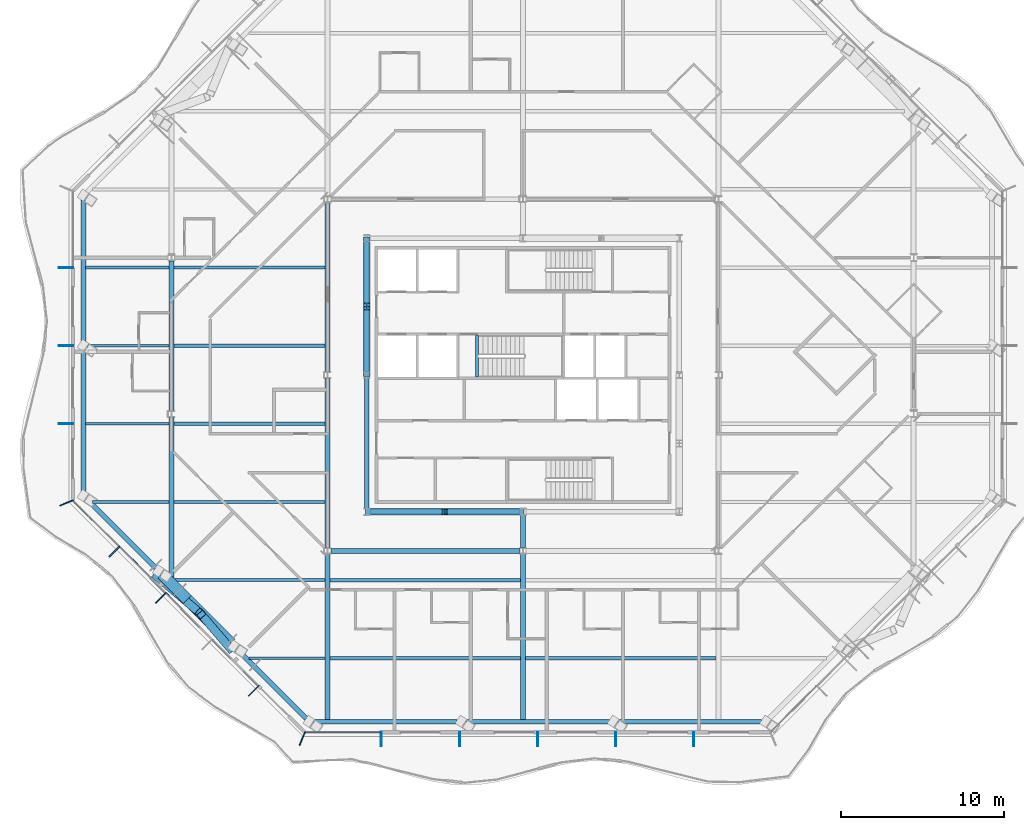
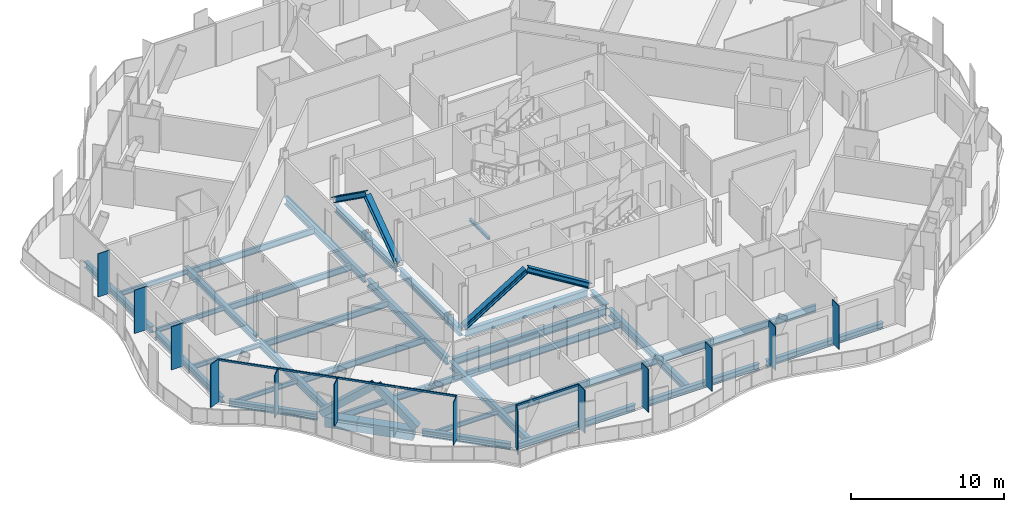
# One storey, part 3 of 21: 34 beams, 24 members, 3 elements without a shape of their own.
"""IFC4 building model written with IfcOpenShell, lengths in metres."""

import ifcopenshell
import ifcopenshell.guid

model = None  # the IFC model being written
_history = None  # IfcOwnerHistory: only IFC2X3 demands one
_inside = {}  # id of a spatial element -> (the spatial element, [elements in it])
_under = {}  # id of a project, library or spatial element -> (it, [spatial elements below it])
_declared = {}  # id of a project -> (the project, [libraries it declares])
_typed = {}  # id of a type object -> (the type object, [elements of that type])
_made_of = {}  # id of a material, layer set ... -> (it, [elements and type objects made of it])


def new_model(schema):
    """Start an empty IFC model of exactly this schema.

    Asked for "IFC4X3", IfcOpenShell would pick the latest addendum, in which some entities
    have other attributes; the version numbers below select the first issue.
    IFC2X3 requires an IfcOwnerHistory on every rooted entity: one is made here for all.
    """
    global model, _history
    if schema == "IFC4X3":
        model = ifcopenshell.file(schema_version=(4, 3, 0, 0))
    else:
        model = ifcopenshell.file(schema=schema)
    _inside.clear()
    _under.clear()
    _declared.clear()
    _typed.clear()
    _made_of.clear()
    _history = None
    if model.schema == "IFC2X3":
        org = make("IfcOrganization", Name="unknown")
        user = make(
            "IfcPersonAndOrganization",
            ThePerson=make("IfcPerson", FamilyName="unknown"),
            TheOrganization=org,
        )
        app = make(
            "IfcApplication",
            ApplicationDeveloper=org,
            Version="unknown",
            ApplicationFullName="unknown",
            ApplicationIdentifier="unknown",
        )
        _history = make(
            "IfcOwnerHistory",
            OwningUser=user,
            OwningApplication=app,
            ChangeAction="ADDED",
            CreationDate=0,
        )
    return model


def make(cls, **values):
    """One entity of the class cls with the attributes given. An attribute that is None is left unset."""
    return model.create_entity(
        cls, **{name: value for name, value in values.items() if value is not None}
    )


def rooted(cls, **values):
    """An entity with a GlobalId (a new one), such as an element, a storey or a relation."""
    return make(cls, GlobalId=ifcopenshell.guid.new(), OwnerHistory=_history, **values)


def si_unit(unit_type, name, prefix=None):
    """IfcSIUnit, for example si_unit("LENGTHUNIT", "METRE", prefix="MILLI")."""
    return make("IfcSIUnit", UnitType=unit_type, Prefix=prefix, Name=name)


def assignment(units):
    """IfcUnitAssignment: the units of a project."""
    return None if units is None else make("IfcUnitAssignment", Units=units)


def point(xyz):
    """IfcCartesianPoint."""
    return None if xyz is None else make("IfcCartesianPoint", Coordinates=xyz)


def direction(xyz):
    """IfcDirection."""
    return None if xyz is None else make("IfcDirection", DirectionRatios=xyz)


def frame(location, z_axis=None, x_axis=None):
    """IfcAxis2Placement3D, a coordinate frame: its origin and axes. An axis left out is left unset."""
    return make(
        "IfcAxis2Placement3D",
        Location=point(location),
        Axis=direction(z_axis),
        RefDirection=direction(x_axis),
    )


def frame_2d(location, x_axis=None):
    """IfcAxis2Placement2D, a coordinate frame in the plane: its origin and x axis."""
    return make(
        "IfcAxis2Placement2D", Location=point(location), RefDirection=direction(x_axis)
    )


def origin():
    """The frame at (0, 0, 0) with its axes left unset."""
    return frame((0.0, 0.0, 0.0))


def origin_2d():
    """The frame at (0, 0) in the plane with its x axis left unset."""
    return frame_2d((0.0, 0.0))


def place(relative_to, where):
    """IfcLocalPlacement: puts the frame where relative to a parent placement (None: the world)."""
    return make(
        "IfcLocalPlacement", PlacementRelTo=relative_to, RelativePlacement=where
    )


def context(
    kind, dimensions, precision=None, world=None, true_north=None, identifier=None
):
    """IfcGeometricRepresentationContext, for example the 3D "Model" context."""
    return make(
        "IfcGeometricRepresentationContext",
        ContextIdentifier=identifier,
        ContextType=kind,
        CoordinateSpaceDimension=dimensions,
        Precision=precision,
        WorldCoordinateSystem=world,
        TrueNorth=true_north,
    )


def subcontext(parent, identifier, kind, view, scale=None):
    """IfcGeometricRepresentationSubContext, for example "Body" below "Model"."""
    return make(
        "IfcGeometricRepresentationSubContext",
        ContextIdentifier=identifier,
        ContextType=kind,
        ParentContext=parent,
        TargetScale=scale,
        TargetView=view,
    )


def project(units=None, contexts=None):
    """IfcProject with its units and contexts."""
    return rooted(
        "IfcProject",
        Name="project",
        RepresentationContexts=contexts,
        UnitsInContext=assignment(units),
    )


def spatial(cls, under=None, at=None, **own):
    """A site, building, storey or space (cls), placed at a placement, below another one or the project."""
    s = rooted(cls, ObjectPlacement=at, **own)
    if under is not None:
        _under.setdefault(under.id(), (under, []))[1].append(s)
    return s


def profile(cls, at=None, kind="AREA", **sizes):
    """A parametric profile (cls). Its sizes go by their IFC names, for example OverallWidth=200.0."""
    return make(cls, ProfileType=kind, Position=at, **sizes)


def rectangle(**sizes):
    """IfcRectangleProfileDef."""
    return profile("IfcRectangleProfileDef", **sizes)


def hollow_rectangle(**sizes):
    """IfcRectangleHollowProfileDef."""
    return profile("IfcRectangleHollowProfileDef", **sizes)


def i_section(**sizes):
    """IfcIShapeProfileDef."""
    return profile("IfcIShapeProfileDef", **sizes)


def extrude(swept, where, along, depth):
    """IfcExtrudedAreaSolid: the profile swept, set in the frame where, extruded along a direction by depth."""
    return make(
        "IfcExtrudedAreaSolid",
        SweptArea=swept,
        Position=where,
        ExtrudedDirection=direction(along),
        Depth=depth,
    )


def shape(context_of_items, identifier, shape_type, items):
    """IfcShapeRepresentation: the items that make up one representation, for example the "Body"."""
    return make(
        "IfcShapeRepresentation",
        ContextOfItems=context_of_items,
        RepresentationIdentifier=identifier,
        RepresentationType=shape_type,
        Items=items,
    )


def material(Name=None, Category=None):
    """IfcMaterial."""
    return make("IfcMaterial", Name=Name, Category=Category)


def material_profile(
    of_material, cross_section, Name=None, Category=None, Priority=None
):
    """IfcMaterialProfile: a cross section and its material."""
    return make(
        "IfcMaterialProfile",
        Name=Name,
        Material=of_material,
        Profile=cross_section,
        Priority=Priority,
        Category=Category,
    )


def profile_set(profiles, Name=None, composite=None):
    """IfcMaterialProfileSet."""
    return make(
        "IfcMaterialProfileSet",
        Name=Name,
        MaterialProfiles=profiles,
        CompositeProfile=composite,
    )


def made_of(thing, what):
    """Note that an element or type object is made of a material, layer set ...; save() writes the relation."""
    if what is not None:
        _made_of.setdefault(what.id(), (what, []))[1].append(thing)
    return thing


def type_object(cls, material=None, **own):
    """A type object (cls), such as IfcWallType, which elements share."""
    return made_of(rooted(cls, **own), material)


def element(
    cls,
    number,
    at=None,
    inside=None,
    cuts=None,
    type_object=None,
    material=None,
    context=None,
    identifier="Body",
    shape_type=None,
    held_by="IfcProductDefinitionShape",
    body=None,
    shapes=None,
    **own,
):
    """One element of the class cls, such as IfcWall. Its Tag is "e" and its number.

    at: its placement. inside: the storey or other place that contains it. cuts: it is an
    opening in that element (IfcRelVoidsElement). A single representation is given by context,
    identifier, shape_type and body (its items); several are given by shapes. held_by: the class
    of the entity that holds the representations. save() writes the other relations.
    """
    e = rooted(cls, Tag="e%d" % number, ObjectPlacement=at, **own)
    if body is not None:
        shapes = [shape(context, identifier, shape_type, body)]
    if shapes is not None:
        e.Representation = make(held_by, Representations=shapes)
    if inside is not None:
        _inside.setdefault(inside.id(), (inside, []))[1].append(e)
    if cuts is not None:
        rooted(
            "IfcRelVoidsElement", RelatingBuildingElement=cuts, RelatedOpeningElement=e
        )
    if type_object is not None:
        _typed.setdefault(type_object.id(), (type_object, []))[1].append(e)
    return made_of(e, material)


def aggregate(whole, parts):
    """IfcRelAggregates: a whole, such as a stair, and the parts it consists of."""
    return rooted("IfcRelAggregates", RelatingObject=whole, RelatedObjects=parts)


def save(model, path):
    """Write the relations noted so far, then the file.

    IfcRelAggregates (storeys below a building ...), IfcRelContainedInSpatialStructure (elements
    in a storey), IfcRelDefinesByType, IfcRelAssociatesMaterial and IfcRelDeclares: one each for
    every whole, place, type object, material and project.
    """
    for whole, parts in _under.values():
        aggregate(whole, parts)
    for where, things in _inside.values():
        rooted(
            "IfcRelContainedInSpatialStructure",
            RelatedElements=things,
            RelatingStructure=where,
        )
    for kind, things in _typed.values():
        rooted("IfcRelDefinesByType", RelatedObjects=things, RelatingType=kind)
    for what, things in _made_of.values():
        rooted("IfcRelAssociatesMaterial", RelatedObjects=things, RelatingMaterial=what)
    for by, libraries in _declared.values():
        rooted("IfcRelDeclares", RelatingContext=by, RelatedDefinitions=libraries)
    model.write(path)


model = new_model("IFC4")

# Units and contexts
model_context = context("Model", 3, precision=1e-05, world=origin(), true_north=direction((0.0, 1.0)))
body_context = subcontext(model_context, "Body", "Model", "MODEL_VIEW")
ifc_project = project(units=[si_unit("LENGTHUNIT", "METRE"), si_unit("AREAUNIT", "SQUARE_METRE"), si_unit("VOLUMEUNIT", "CUBIC_METRE"), si_unit("PLANEANGLEUNIT", "RADIAN"), si_unit("MASSUNIT", "GRAM", prefix="KILO")], contexts=[model_context])

# Site, building, storey
site_placement = place(None, origin())
site = spatial("IfcSite", under=ifc_project, at=site_placement, CompositionType="ELEMENT")
building_placement = place(site_placement, origin())
building = spatial("IfcBuilding", under=site, at=building_placement, Name="Cairn Pilgrim Tower", CompositionType="ELEMENT")
storey_placement = place(building_placement, frame((0.0, 0.0, 179.39990234375)))
storey = spatial("IfcBuildingStorey", under=building, at=storey_placement, Name="L45", CompositionType="ELEMENT", Elevation=179.39990234375)

# Members
ifc_material_1 = material(Name="Structural steel S460M", Category="steel")
ifc_material_profile_1 = material_profile(ifc_material_1, hollow_rectangle(XDim=0.5, YDim=0.5, WallThickness=0.030029296875, at=origin_2d()), Name="BOX 500x500x30")
ifc_profile_set_1 = profile_set([ifc_material_profile_1], Name="Structural steel S460M")
member_type_1 = type_object("IfcMemberType", Name="BOX 500x500x30 BRACE", PredefinedType="BRACE", material=ifc_profile_set_1)
member_1_placement = place(storey_placement, frame((-15.35595703125, -9.91650390625, 0.150146484375), z_axis=(0.605161521402, -0.514059548289, 0.607883470599), x_axis=(0.647408757697, 0.762142965891, 0.0)))
element("IfcMember", 1, at=member_1_placement, inside=storey, type_object=member_type_1, Name="XB-SW2-SW3-1", PredefinedType="BRACE", context=body_context, shape_type="SweptSolid", body=[
    extrude(hollow_rectangle(XDim=0.5, YDim=0.5, WallThickness=0.030029296875, at=origin_2d()), origin(), (0.0, 0.0, 1.0), 4.39501953125),
])
member_2_placement = place(storey_placement, frame((-10.75244140625, -14.430419921875, 0.135498046875), z_axis=(-0.466391954659, 0.546893695647, 0.695259541676), x_axis=(-0.760886292227, -0.648885236618, 0.0)))
element("IfcMember", 2, at=member_2_placement, inside=storey, type_object=member_type_1, Name="XB-SW2-SW3-2", PredefinedType="BRACE", context=body_context, shape_type="SweptSolid", body=[
    extrude(hollow_rectangle(XDim=0.5, YDim=0.5, WallThickness=0.030029296875, at=origin_2d()), origin(), (0.0, 0.0, 1.0), 3.86376953125),
])

# Beams
ifc_material_2 = material(Name="Structural steel S355J2", Category="steel")
ifc_material_profile_2 = material_profile(ifc_material_2, hollow_rectangle(XDim=0.699951171875, YDim=0.800048828125, WallThickness=0.0400390625, at=origin_2d()), Name="BOX 700x800x40")
ifc_profile_set_2 = profile_set([ifc_material_profile_2], Name="Structural steel S355J2")
beam_type_1 = type_object("IfcBeamType", Name="BOX 700x800x40 RING GIRDER", PredefinedType="SPANDREL", material=ifc_profile_set_2)
beam_1_placement = place(storey_placement, frame((-14.98486328125, -9.84228515625, -0.5498046875), z_axis=(0.707106781187, -0.707106781187, 0.0), x_axis=(0.707106781187, 0.707106781187, 0.0)))
element("IfcBeam", 3, at=beam_1_placement, inside=storey, type_object=beam_type_1, Name="RG2-SW2-SW3-1", PredefinedType="SPANDREL", context=body_context, shape_type="SweptSolid", body=[
    extrude(hollow_rectangle(XDim=0.699951171875, YDim=0.800048828125, WallThickness=0.0400390625, at=origin_2d()), origin(), (0.0, 0.0, 1.0), 2.20458984375),
])
beam_2_placement = place(storey_placement, frame((-13.426025390625, -11.401123046875, -0.5498046875), z_axis=(0.707106781187, -0.707106781187, 0.0), x_axis=(0.707106781187, 0.707106781187, 0.0)))
element("IfcBeam", 4, at=beam_2_placement, inside=storey, type_object=beam_type_1, Name="RG2-SW2-SW3-2", PredefinedType="SPANDREL", context=body_context, shape_type="SweptSolid", body=[
    extrude(hollow_rectangle(XDim=0.699951171875, YDim=0.800048828125, WallThickness=0.0400390625, at=origin_2d()), origin(), (0.0, 0.0, 1.0), 3.795166015625),
])

# Curtain wall, members
ifc_material_3 = material(Name="Aluminium alloy 6063-T6 bronze anodised with Bronze tinted laminated low-E glass 8+16+8.8", Category="aluminium")
curtain_wall_type_1 = type_object("IfcCurtainWallType", Name="TOWER STICK CURTAIN WALL NS", PredefinedType="NOTDEFINED", material=ifc_material_3)
curtain_wall_1_placement = place(storey_placement, origin())
curtain_wall_1 = element("IfcCurtainWall", 5, at=curtain_wall_1_placement, inside=storey, type_object=curtain_wall_type_1, Name="Tower Stick Curtain Wall Ns S", PredefinedType="NOTDEFINED")
ifc_material_4 = material(Name="Aluminium alloy 6063-T6 bronze anodised", Category="aluminium")
ifc_material_profile_3 = material_profile(ifc_material_4, rectangle(XDim=0.89990234375, YDim=0.06005859375, at=origin_2d()), Name="FIN MULLION 60x900 BRONZE")
ifc_profile_set_3 = profile_set([ifc_material_profile_3], Name="Aluminium alloy 6063-T6 bronze anodised")
member_type_2 = type_object("IfcMemberType", Name="FIN MULLION 60x900 BRONZE", PredefinedType="MULLION", material=ifc_profile_set_3)
member_3_placement = place(storey_placement, frame((-6.357177734375, -19.93798828125, 0.0), z_axis=(0.0, 0.0, 1.0), x_axis=(-0.382683432365, -0.923879532511, 0.0)))
member_3 = element("IfcMember", 6, at=member_3_placement, type_object=member_type_2, Name="Fin mullion S1", PredefinedType="MULLION", context=body_context, shape_type="SweptSolid", body=[
    extrude(rectangle(XDim=0.89990234375, YDim=0.06005859375, at=origin_2d()), origin(), (0.0, 0.0, 1.0), 3.4501953125),
])
member_4_placement = place(storey_placement, frame((-1.5, -19.969970703125, 0.0), z_axis=(0.0, 0.0, 1.0), x_axis=(0.0, -1.0, 0.0)))
member_4 = element("IfcMember", 7, at=member_4_placement, type_object=member_type_2, Name="Fin mullion S2", PredefinedType="MULLION", context=body_context, shape_type="SweptSolid", body=[
    extrude(rectangle(XDim=0.89990234375, YDim=0.06005859375, at=origin_2d()), origin(), (0.0, 0.0, 1.0), 3.4501953125),
])
member_5_placement = place(storey_placement, frame((3.300048828125, -19.969970703125, 0.0), z_axis=(0.0, 0.0, 1.0), x_axis=(0.0, -1.0, 0.0)))
member_5 = element("IfcMember", 8, at=member_5_placement, type_object=member_type_2, Name="Fin mullion S3", PredefinedType="MULLION", context=body_context, shape_type="SweptSolid", body=[
    extrude(rectangle(XDim=0.89990234375, YDim=0.06005859375, at=origin_2d()), origin(), (0.0, 0.0, 1.0), 3.4501953125),
])
member_6_placement = place(storey_placement, frame((8.10009765625, -19.969970703125, 0.0), z_axis=(0.0, 0.0, 1.0), x_axis=(0.0, -1.0, 0.0)))
member_6 = element("IfcMember", 9, at=member_6_placement, type_object=member_type_2, Name="Fin mullion S4", PredefinedType="MULLION", context=body_context, shape_type="SweptSolid", body=[
    extrude(rectangle(XDim=0.89990234375, YDim=0.06005859375, at=origin_2d()), origin(), (0.0, 0.0, 1.0), 3.4501953125),
])
member_7_placement = place(storey_placement, frame((12.89990234375, -19.969970703125, 0.0), z_axis=(0.0, 0.0, 1.0), x_axis=(0.0, -1.0, 0.0)))
member_7 = element("IfcMember", 10, at=member_7_placement, type_object=member_type_2, Name="Fin mullion S5", PredefinedType="MULLION", context=body_context, shape_type="SweptSolid", body=[
    extrude(rectangle(XDim=0.89990234375, YDim=0.06005859375, at=origin_2d()), origin(), (0.0, 0.0, 1.0), 3.4501953125),
])
member_8_placement = place(storey_placement, frame((17.699951171875, -19.969970703125, 0.0), z_axis=(0.0, 0.0, 1.0), x_axis=(0.0, -1.0, 0.0)))
member_8 = element("IfcMember", 11, at=member_8_placement, type_object=member_type_2, Name="Fin mullion S6", PredefinedType="MULLION", context=body_context, shape_type="SweptSolid", body=[
    extrude(rectangle(XDim=0.89990234375, YDim=0.06005859375, at=origin_2d()), origin(), (0.0, 0.0, 1.0), 3.4501953125),
])

curtain_wall_type_2 = type_object("IfcCurtainWallType", Name="TOWER STICK CURTAIN WALL EW", PredefinedType="NOTDEFINED", material=ifc_material_3)
curtain_wall_2_placement = place(storey_placement, origin())
curtain_wall_2 = element("IfcCurtainWall", 12, at=curtain_wall_2_placement, inside=storey, type_object=curtain_wall_type_2, Name="Tower Stick Curtain Wall Ew W", PredefinedType="NOTDEFINED")
member_9_placement = place(storey_placement, frame((-20.8701171875, 9.0, 0.0), z_axis=(0.0, 0.0, 1.0), x_axis=(-1.0, 0.0, 0.0)))
member_9 = element("IfcMember", 13, at=member_9_placement, type_object=member_type_2, Name="Fin mullion W2", PredefinedType="MULLION", context=body_context, shape_type="SweptSolid", body=[
    extrude(rectangle(XDim=0.89990234375, YDim=0.06005859375, at=origin_2d()), origin(), (0.0, 0.0, 1.0), 3.4501953125),
])
member_10_placement = place(storey_placement, frame((-20.8701171875, 4.199951171875, 0.0), z_axis=(0.0, 0.0, 1.0), x_axis=(-1.0, 0.0, 0.0)))
member_10 = element("IfcMember", 14, at=member_10_placement, type_object=member_type_2, Name="Fin mullion W3", PredefinedType="MULLION", context=body_context, shape_type="SweptSolid", body=[
    extrude(rectangle(XDim=0.89990234375, YDim=0.06005859375, at=origin_2d()), origin(), (0.0, 0.0, 1.0), 3.4501953125),
])
member_11_placement = place(storey_placement, frame((-20.8701171875, -0.60009765625, 0.0), z_axis=(0.0, 0.0, 1.0), x_axis=(-1.0, 0.0, 0.0)))
member_11 = element("IfcMember", 15, at=member_11_placement, type_object=member_type_2, Name="Fin mullion W4", PredefinedType="MULLION", context=body_context, shape_type="SweptSolid", body=[
    extrude(rectangle(XDim=0.89990234375, YDim=0.06005859375, at=origin_2d()), origin(), (0.0, 0.0, 1.0), 3.4501953125),
])
aggregate(curtain_wall_2, [member_9, member_10, member_11])

curtain_wall_type_3 = type_object("IfcCurtainWallType", Name="CHAMFER CORNER CURTAIN WALL", PredefinedType="NOTDEFINED", material=ifc_material_3)
curtain_wall_3_placement = place(storey_placement, origin())
curtain_wall_3 = element("IfcCurtainWall", 16, at=curtain_wall_3_placement, inside=storey, type_object=curtain_wall_type_3, Name="Chamfer Corner Curtain Wall SW", PredefinedType="NOTDEFINED")
member_12_placement = place(storey_placement, frame((-20.838134765625, -5.457275390625, 0.0), z_axis=(0.0, 0.0, 1.0), x_axis=(-0.923879532511, -0.382683432365, 0.0)))
member_12 = element("IfcMember", 17, at=member_12_placement, type_object=member_type_2, Name="Fin mullion SW1", PredefinedType="MULLION", context=body_context, shape_type="SweptSolid", body=[
    extrude(rectangle(XDim=0.89990234375, YDim=0.06005859375, at=origin_2d()), origin(), (0.0, 0.0, 1.0), 3.4501953125),
])
member_13_placement = place(storey_placement, frame((-17.896240234375, -8.444091796875, 0.0), z_axis=(0.0, 0.0, 1.0), x_axis=(-0.707106781187, -0.707106781187, 0.0)))
member_13 = element("IfcMember", 18, at=member_13_placement, type_object=member_type_2, Name="Fin mullion SW2", PredefinedType="MULLION", context=body_context, shape_type="SweptSolid", body=[
    extrude(rectangle(XDim=0.89990234375, YDim=0.06005859375, at=origin_2d()), origin(), (0.0, 0.0, 1.0), 3.4501953125),
])
member_14_placement = place(storey_placement, frame((-15.045654296875, -11.294921875, 0.0), z_axis=(0.0, 0.0, 1.0), x_axis=(-0.707106781187, -0.707106781187, 0.0)))
member_14 = element("IfcMember", 19, at=member_14_placement, type_object=member_type_2, Name="Fin mullion SW3", PredefinedType="MULLION", context=body_context, shape_type="SweptSolid", body=[
    extrude(rectangle(XDim=0.89990234375, YDim=0.06005859375, at=origin_2d()), origin(), (0.0, 0.0, 1.0), 3.4501953125),
])
member_15_placement = place(storey_placement, frame((-9.34423828125, -16.996337890625, 0.0), z_axis=(0.0, 0.0, 1.0), x_axis=(-0.707106781187, -0.707106781187, 0.0)))
member_15 = element("IfcMember", 20, at=member_15_placement, type_object=member_type_2, Name="Fin mullion SW5", PredefinedType="MULLION", context=body_context, shape_type="SweptSolid", body=[
    extrude(rectangle(XDim=0.89990234375, YDim=0.06005859375, at=origin_2d()), origin(), (0.0, 0.0, 1.0), 3.4501953125),
])

# Members
ifc_material_profile_4 = material_profile(ifc_material_1, i_section(OverallWidth=0.408935546875, OverallDepth=0.425048828125, WebThickness=0.03271484375, FlangeThickness=0.052490234375, FilletRadius=0.014892578125, at=origin_2d()), Name="HD 400x421")
ifc_profile_set_4 = profile_set([ifc_material_profile_4], Name="Structural steel S460M")
member_type_3 = type_object("IfcMemberType", Name="HD 400x421 BRACE", PredefinedType="BRACE", material=ifc_profile_set_4)
member_16_placement = place(storey_placement, frame((-2.3583984375, -6.0, 0.10009765625), z_axis=(0.851119565216, 0.0, 0.524971890397), x_axis=(0.0, 1.0, 0.0)))
element("IfcMember", 21, at=member_16_placement, inside=storey, type_object=member_type_3, Name="KB-1A", PredefinedType="BRACE", context=body_context, shape_type="SweptSolid", body=[
    extrude(i_section(OverallWidth=0.408935546875, OverallDepth=0.425048828125, WebThickness=0.03271484375, FlangeThickness=0.052490234375, FilletRadius=0.014892578125, at=origin_2d()), origin(), (0.0, 0.0, 1.0), 5.528076171875),
])
member_17_placement = place(storey_placement, frame((7.158447265625, -6.0, 0.10009765625), z_axis=(-0.851131735799, 0.0, 0.52495215812), x_axis=(0.0, -1.0, 0.0)))
element("IfcMember", 22, at=member_17_placement, inside=storey, type_object=member_type_3, Name="KB-1B", PredefinedType="BRACE", context=body_context, shape_type="SweptSolid", body=[
    extrude(i_section(OverallWidth=0.408935546875, OverallDepth=0.425048828125, WebThickness=0.03271484375, FlangeThickness=0.052490234375, FilletRadius=0.014892578125, at=origin_2d()), origin(), (0.0, 0.0, 1.0), 5.5283203125),
])
for number, where, z_axis, x_axis, name in (
    (23, (-2.39990234375, 10.75830078125, 0.10009765625), (0.0, -0.81433042856, 0.580401544727), (1.0, 0.0, 0.0), "KB-4A"),
    (24, (-2.39990234375, 2.441650390625, 0.10009765625), (0.0, 0.81433042856, 0.580401544727), (-1.0, 0.0, 0.0), "KB-4B"),
):
    element("IfcMember", number, at=place(storey_placement, frame(where, z_axis=z_axis, x_axis=x_axis)), inside=storey, type_object=member_type_3, Name=name, PredefinedType="BRACE", context=body_context, shape_type="SweptSolid", body=[
        extrude(i_section(OverallWidth=0.408935546875, OverallDepth=0.425048828125, WebThickness=0.03271484375, FlangeThickness=0.052490234375, FilletRadius=0.014892578125, at=origin_2d()), origin(), (0.0, 0.0, 1.0), 4.998046875),
    ])

# Beams
ifc_material_profile_5 = material_profile(ifc_material_2, i_section(OverallWidth=0.300048828125, OverallDepth=0.39990234375, WebThickness=0.013427734375, FlangeThickness=0.02392578125, FilletRadius=0.027099609375, at=origin_2d()), Name="HEB 400")
ifc_profile_set_5 = profile_set([ifc_material_profile_5], Name="Structural steel S355J2")
beam_type_2 = type_object("IfcBeamType", Name="HEB 400 GIRDER", PredefinedType="BEAM", material=ifc_profile_set_5)
beam_3_placement = place(storey_placement, frame((7.199951171875, -8.200439453125, -0.349853515625), z_axis=(0.0, 1.0, 0.0), x_axis=(-1.0, 0.0, 0.0)))
element("IfcBeam", 25, at=beam_3_placement, inside=storey, type_object=beam_type_2, Name="PG3-E1", PredefinedType="BEAM", context=body_context, shape_type="SweptSolid", body=[
    extrude(i_section(OverallWidth=0.300048828125, OverallDepth=0.39990234375, WebThickness=0.013427734375, FlangeThickness=0.02392578125, FilletRadius=0.027099609375, at=origin_2d()), origin(), (0.0, 0.0, 1.0), 1.992431640625),
])
ifc_material_profile_6 = material_profile(ifc_material_2, i_section(OverallWidth=0.300048828125, OverallDepth=0.5, WebThickness=0.014404296875, FlangeThickness=0.028076171875, FilletRadius=0.027099609375, at=origin_2d()), Name="HEB 500")
ifc_profile_set_6 = profile_set([ifc_material_profile_6], Name="Structural steel S355J2")
beam_type_3 = type_object("IfcBeamType", Name="HEB 500 GIRDER", PredefinedType="BEAM", material=ifc_profile_set_6)
beam_4_placement = place(storey_placement, frame((-14.39990234375, 0.199462890625, -0.39990234375), z_axis=(0.0, 1.0, 0.0), x_axis=(-1.0, 0.0, 0.0)))
element("IfcBeam", 26, at=beam_4_placement, inside=storey, type_object=beam_type_3, Name="PG1-2", PredefinedType="BEAM", context=body_context, shape_type="SweptSolid", body=[
    extrude(i_section(OverallWidth=0.300048828125, OverallDepth=0.5, WebThickness=0.014404296875, FlangeThickness=0.028076171875, FilletRadius=0.027099609375, at=origin_2d()), origin(), (0.0, 0.0, 1.0), 9.200927734375),
])
ifc_material_profile_7 = material_profile(ifc_material_2, i_section(OverallWidth=0.300048828125, OverallDepth=0.5, WebThickness=0.014404296875, FlangeThickness=0.028076171875, FilletRadius=0.027099609375, at=origin_2d()), Name="HEB 500")
ifc_profile_set_7 = profile_set([ifc_material_profile_7], Name="Structural steel S355J2")
beam_type_4 = type_object("IfcBeamType", Name="HEB 500 RING GIRDER", PredefinedType="SPANDREL", material=ifc_profile_set_7)
beam_5_placement = place(storey_placement, frame((-5.6572265625, -18.89990234375, -0.39990234375), z_axis=(1.0, 0.0, 0.0), x_axis=(0.0, 1.0, 0.0)))
element("IfcBeam", 27, at=beam_5_placement, inside=storey, type_object=beam_type_4, Name="RG2-S1-S2", PredefinedType="SPANDREL", context=body_context, shape_type="SweptSolid", body=[
    extrude(i_section(OverallWidth=0.300048828125, OverallDepth=0.5, WebThickness=0.014404296875, FlangeThickness=0.028076171875, FilletRadius=0.027099609375, at=origin_2d()), origin(), (0.0, 0.0, 1.0), 8.8115234375),
])
beam_6_placement = place(storey_placement, frame((3.6943359375, -18.89990234375, -0.39990234375), z_axis=(1.0, 0.0, 0.0), x_axis=(0.0, 1.0, 0.0)))
element("IfcBeam", 28, at=beam_6_placement, inside=storey, type_object=beam_type_4, Name="RG2-S2-S3", PredefinedType="SPANDREL", context=body_context, shape_type="SweptSolid", body=[
    extrude(i_section(OverallWidth=0.300048828125, OverallDepth=0.5, WebThickness=0.014404296875, FlangeThickness=0.028076171875, FilletRadius=0.027099609375, at=origin_2d()), origin(), (0.0, 0.0, 1.0), 8.811279296875),
])
beam_7_placement = place(storey_placement, frame((13.045654296875, -18.89990234375, -0.39990234375), z_axis=(1.0, 0.0, 0.0), x_axis=(0.0, 1.0, 0.0)))
element("IfcBeam", 29, at=beam_7_placement, inside=storey, type_object=beam_type_4, Name="RG2-S3-SE1", PredefinedType="SPANDREL", context=body_context, shape_type="SweptSolid", body=[
    extrude(i_section(OverallWidth=0.300048828125, OverallDepth=0.5, WebThickness=0.014404296875, FlangeThickness=0.028076171875, FilletRadius=0.027099609375, at=origin_2d()), origin(), (0.0, 0.0, 1.0), 8.8115234375),
])
beam_8_placement = place(storey_placement, frame((-19.800048828125, 13.1572265625, -0.39990234375), z_axis=(0.0, -1.0, 0.0), x_axis=(1.0, 0.0, 0.0)))
element("IfcBeam", 30, at=beam_8_placement, inside=storey, type_object=beam_type_4, Name="RG2-W1-W2", PredefinedType="SPANDREL", context=body_context, shape_type="SweptSolid", body=[
    extrude(i_section(OverallWidth=0.300048828125, OverallDepth=0.5, WebThickness=0.014404296875, FlangeThickness=0.028076171875, FilletRadius=0.027099609375, at=origin_2d()), origin(), (0.0, 0.0, 1.0), 8.687255859375),
])
beam_9_placement = place(storey_placement, frame((-19.800048828125, 3.929931640625, -0.39990234375), z_axis=(0.0, -1.0, 0.0), x_axis=(1.0, 0.0, 0.0)))
element("IfcBeam", 31, at=beam_9_placement, inside=storey, type_object=beam_type_4, Name="RG2-W2-SW1", PredefinedType="SPANDREL", context=body_context, shape_type="SweptSolid", body=[
    extrude(i_section(OverallWidth=0.300048828125, OverallDepth=0.5, WebThickness=0.014404296875, FlangeThickness=0.028076171875, FilletRadius=0.027099609375, at=origin_2d()), origin(), (0.0, 0.0, 1.0), 8.68701171875),
])
beam_10_placement = place(storey_placement, frame((-19.609130859375, -5.218017578125, -0.39990234375), z_axis=(0.707086435425, -0.707127126363, 0.0), x_axis=(0.707127126363, 0.707086435425, 0.0)))
element("IfcBeam", 32, at=beam_10_placement, inside=storey, type_object=beam_type_4, Name="RG2-SW1-SW2", PredefinedType="SPANDREL", context=body_context, shape_type="SweptSolid", body=[
    extrude(i_section(OverallWidth=0.300048828125, OverallDepth=0.5, WebThickness=0.014404296875, FlangeThickness=0.028076171875, FilletRadius=0.027099609375, at=origin_2d()), origin(), (0.0, 0.0, 1.0), 5.999755859375),
])
beam_11_placement = place(storey_placement, frame((-10.360595703125, -14.466796875, -0.39990234375), z_axis=(0.707127127534, -0.707086434254, 0.0), x_axis=(0.707086434254, 0.707127127534, 0.0)))
element("IfcBeam", 33, at=beam_11_placement, inside=storey, type_object=beam_type_4, Name="RG2-SW3-S1", PredefinedType="SPANDREL", context=body_context, shape_type="SweptSolid", body=[
    extrude(i_section(OverallWidth=0.300048828125, OverallDepth=0.5, WebThickness=0.014404296875, FlangeThickness=0.028076171875, FilletRadius=0.027099609375, at=origin_2d()), origin(), (0.0, 0.0, 1.0), 5.99951171875),
])
ifc_material_profile_8 = material_profile(ifc_material_2, i_section(OverallWidth=0.300048828125, OverallDepth=0.60009765625, WebThickness=0.015380859375, FlangeThickness=0.030029296875, FilletRadius=0.027099609375, at=origin_2d()), Name="HEB 600")
ifc_profile_set_8 = profile_set([ifc_material_profile_8], Name="Structural steel S355J2")
beam_type_5 = type_object("IfcBeamType", Name="HEB 600 CORE BEAM", PredefinedType="BEAM", material=ifc_profile_set_8)
beam_12_placement = place(storey_placement, frame((-2.212890625, -6.0, -0.449951171875), z_axis=(1.0, 0.0, 0.0), x_axis=(0.0, 1.0, 0.0)))
element("IfcBeam", 34, at=beam_12_placement, inside=storey, type_object=beam_type_5, Name="CB-1", PredefinedType="BEAM", context=body_context, shape_type="SweptSolid", body=[
    extrude(i_section(OverallWidth=0.300048828125, OverallDepth=0.60009765625, WebThickness=0.015380859375, FlangeThickness=0.030029296875, FilletRadius=0.027099609375, at=origin_2d()), origin(), (0.0, 0.0, 1.0), 9.2255859375),
])
for number, where, z_axis, x_axis, name in (
    (35, (-2.39990234375, 10.61279296875, -0.449951171875), (0.0, -1.0, 0.0), (1.0, 0.0, 0.0), "CB-7"),
    (36, (-2.39990234375, 2.212890625, -0.449951171875), (0.0, -1.0, 0.0), (1.0, 0.0, 0.0), "CB-8"),
):
    element("IfcBeam", number, at=place(storey_placement, frame(where, z_axis=z_axis, x_axis=x_axis)), inside=storey, type_object=beam_type_5, Name=name, PredefinedType="BEAM", context=body_context, shape_type="SweptSolid", body=[
        extrude(i_section(OverallWidth=0.300048828125, OverallDepth=0.60009765625, WebThickness=0.015380859375, FlangeThickness=0.030029296875, FilletRadius=0.027099609375, at=origin_2d()), origin(), (0.0, 0.0, 1.0), 8.025634765625),
    ])
ifc_material_profile_9 = material_profile(ifc_material_2, i_section(OverallWidth=0.300048828125, OverallDepth=0.60009765625, WebThickness=0.015380859375, FlangeThickness=0.030029296875, FilletRadius=0.027099609375, at=origin_2d()), Name="HEB 600")
ifc_profile_set_9 = profile_set([ifc_material_profile_9], Name="Structural steel S355J2")
beam_type_6 = type_object("IfcBeamType", Name="HEB 600 GIRDER", PredefinedType="BEAM", material=ifc_profile_set_9)
beam_13_placement = place(storey_placement, frame((-14.39990234375, -10.2451171875, -0.449951171875), z_axis=(0.0, 1.0, 0.0), x_axis=(-1.0, 0.0, 0.0)))
element("IfcBeam", 37, at=beam_13_placement, inside=storey, type_object=beam_type_6, Name="PG1-1", PredefinedType="BEAM", context=body_context, shape_type="SweptSolid", body=[
    extrude(i_section(OverallWidth=0.300048828125, OverallDepth=0.60009765625, WebThickness=0.015380859375, FlangeThickness=0.030029296875, FilletRadius=0.027099609375, at=origin_2d()), origin(), (0.0, 0.0, 1.0), 10.045654296875),
])
beam_14_placement = place(storey_placement, frame((-4.800048828125, -18.780029296875, -0.449951171875), z_axis=(0.0, 1.0, 0.0), x_axis=(-1.0, 0.0, 0.0)))
element("IfcBeam", 38, at=beam_14_placement, inside=storey, type_object=beam_type_6, Name="PG2-1", PredefinedType="BEAM", context=body_context, shape_type="SweptSolid", body=[
    extrude(i_section(OverallWidth=0.300048828125, OverallDepth=0.60009765625, WebThickness=0.015380859375, FlangeThickness=0.030029296875, FilletRadius=0.027099609375, at=origin_2d()), origin(), (0.0, 0.0, 1.0), 10.180419921875),
])
for number, where, z_axis, x_axis, name in (
    (39, (-4.800048828125, -8.200439453125, -0.449951171875), (0.0, 1.0, 0.0), (-1.0, 0.0, 0.0), "PG2-2"),
    (40, (-4.800048828125, 2.599609375, -0.449951171875), (0.0, 1.0, 0.0), (-1.0, 0.0, 0.0), "PG2-3"),
):
    element("IfcBeam", number, at=place(storey_placement, frame(where, z_axis=z_axis, x_axis=x_axis)), inside=storey, type_object=beam_type_6, Name=name, PredefinedType="BEAM", context=body_context, shape_type="SweptSolid", body=[
        extrude(i_section(OverallWidth=0.300048828125, OverallDepth=0.60009765625, WebThickness=0.015380859375, FlangeThickness=0.030029296875, FilletRadius=0.027099609375, at=origin_2d()), origin(), (0.0, 0.0, 1.0), 10.40087890625),
    ])
beam_15_placement = place(storey_placement, frame((7.199951171875, -18.780029296875, -0.449951171875), z_axis=(0.0, 1.0, 0.0), x_axis=(-1.0, 0.0, 0.0)))
element("IfcBeam", 41, at=beam_15_placement, inside=storey, type_object=beam_type_6, Name="PG3-1", PredefinedType="BEAM", context=body_context, shape_type="SweptSolid", body=[
    extrude(i_section(OverallWidth=0.300048828125, OverallDepth=0.60009765625, WebThickness=0.015380859375, FlangeThickness=0.030029296875, FilletRadius=0.027099609375, at=origin_2d()), origin(), (0.0, 0.0, 1.0), 10.180419921875),
])
ifc_material_profile_10 = material_profile(ifc_material_2, i_section(OverallWidth=0.300048828125, OverallDepth=0.60009765625, WebThickness=0.015380859375, FlangeThickness=0.030029296875, FilletRadius=0.027099609375, at=origin_2d()), Name="HEB 600")
ifc_profile_set_10 = profile_set([ifc_material_profile_10], Name="Structural steel S355J2")
beam_type_7 = type_object("IfcBeamType", Name="HEB 600 INNER GIRDER", PredefinedType="BEAM", material=ifc_profile_set_10)
beam_16_placement = place(storey_placement, frame((-4.6005859375, -8.39990234375, -0.449951171875), z_axis=(1.0, 0.0, 0.0), x_axis=(0.0, 1.0, 0.0)))
element("IfcBeam", 42, at=beam_16_placement, inside=storey, type_object=beam_type_7, Name="IG1-1", PredefinedType="BEAM", context=body_context, shape_type="SweptSolid", body=[
    extrude(i_section(OverallWidth=0.300048828125, OverallDepth=0.60009765625, WebThickness=0.015380859375, FlangeThickness=0.030029296875, FilletRadius=0.027099609375, at=origin_2d()), origin(), (0.0, 0.0, 1.0), 11.60107421875),
])
ifc_material_profile_11 = material_profile(ifc_material_2, i_section(OverallWidth=0.169921875, OverallDepth=0.360107421875, WebThickness=0.008056640625, FlangeThickness=0.0126953125, FilletRadius=0.01806640625, at=origin_2d()), Name="IPE 360")
ifc_profile_set_11 = profile_set([ifc_material_profile_11], Name="Structural steel S355J2")
beam_type_8 = type_object("IfcBeamType", Name="IPE 360 SECONDARY BEAM", PredefinedType="JOIST", material=ifc_profile_set_11)
for number, where, z_axis, x_axis, name in (
    (43, (-9.64501953125, -15.0, -0.329833984375), (1.0, 0.0, 0.0), (0.0, 1.0, 0.0), "SB1-1"),
    (44, (-19.2451171875, -5.39990234375, -0.329833984375), (1.0, 0.0, 0.0), (0.0, 1.0, 0.0), "SB3-1"),
):
    element("IfcBeam", number, at=place(storey_placement, frame(where, z_axis=z_axis, x_axis=x_axis)), inside=storey, type_object=beam_type_8, Name=name, PredefinedType="JOIST", context=body_context, shape_type="SweptSolid", body=[
        extrude(i_section(OverallWidth=0.169921875, OverallDepth=0.360107421875, WebThickness=0.008056640625, FlangeThickness=0.0126953125, FilletRadius=0.01806640625, at=origin_2d()), origin(), (0.0, 0.0, 1.0), 4.695068359375),
    ])
for number, where, z_axis, x_axis, name in (
    (45, (-19.679931640625, -0.60009765625, -0.329833984375), (1.0, 0.0, 0.0), (0.0, 1.0, 0.0), "SB4-1"),
    (46, (-19.679931640625, 4.199951171875, -0.329833984375), (1.0, 0.0, 0.0), (0.0, 1.0, 0.0), "SB5-1"),
    (47, (-19.679931640625, 9.0, -0.329833984375), (1.0, 0.0, 0.0), (0.0, 1.0, 0.0), "SB6-1"),
):
    element("IfcBeam", number, at=place(storey_placement, frame(where, z_axis=z_axis, x_axis=x_axis)), inside=storey, type_object=beam_type_8, Name=name, PredefinedType="JOIST", context=body_context, shape_type="SweptSolid", body=[
        extrude(i_section(OverallWidth=0.169921875, OverallDepth=0.360107421875, WebThickness=0.008056640625, FlangeThickness=0.0126953125, FilletRadius=0.01806640625, at=origin_2d()), origin(), (0.0, 0.0, 1.0), 5.1298828125),
    ])
ifc_material_profile_12 = material_profile(ifc_material_2, i_section(OverallWidth=0.199951171875, OverallDepth=0.5, WebThickness=0.01025390625, FlangeThickness=0.01611328125, FilletRadius=0.02099609375, at=origin_2d()), Name="IPE 500")
ifc_profile_set_12 = profile_set([ifc_material_profile_12], Name="Structural steel S355J2")
beam_type_9 = type_object("IfcBeamType", Name="IPE 500 SECONDARY BEAM", PredefinedType="JOIST", material=ifc_profile_set_12)
beam_17_placement = place(storey_placement, frame((-14.445068359375, -10.199951171875, -0.39990234375), z_axis=(1.0, 0.0, 0.0), x_axis=(0.0, 1.0, 0.0)))
element("IfcBeam", 48, at=beam_17_placement, inside=storey, type_object=beam_type_9, Name="SB2-1", PredefinedType="JOIST", context=body_context, shape_type="SweptSolid", body=[
    extrude(i_section(OverallWidth=0.199951171875, OverallDepth=0.5, WebThickness=0.01025390625, FlangeThickness=0.01611328125, FilletRadius=0.02099609375, at=origin_2d()), origin(), (0.0, 0.0, 1.0), 9.4951171875),
])
for number, where, z_axis, x_axis, name in (
    (49, (-14.25, -5.39990234375, -0.39990234375), (1.0, 0.0, 0.0), (0.0, 1.0, 0.0), "SB3-2"),
    (50, (-14.25, -0.60009765625, -0.39990234375), (1.0, 0.0, 0.0), (0.0, 1.0, 0.0), "SB4-2"),
    (51, (-14.25, 4.199951171875, -0.39990234375), (1.0, 0.0, 0.0), (0.0, 1.0, 0.0), "SB5-2"),
    (52, (-14.25, 9.0, -0.39990234375), (1.0, 0.0, 0.0), (0.0, 1.0, 0.0), "SB6-2"),
):
    element("IfcBeam", number, at=place(storey_placement, frame(where, z_axis=z_axis, x_axis=x_axis)), inside=storey, type_object=beam_type_9, Name=name, PredefinedType="JOIST", context=body_context, shape_type="SweptSolid", body=[
        extrude(i_section(OverallWidth=0.199951171875, OverallDepth=0.5, WebThickness=0.01025390625, FlangeThickness=0.01611328125, FilletRadius=0.02099609375, at=origin_2d()), origin(), (0.0, 0.0, 1.0), 9.300048828125),
    ])
ifc_material_profile_13 = material_profile(ifc_material_2, i_section(OverallWidth=0.2099609375, OverallDepth=0.550048828125, WebThickness=0.010986328125, FlangeThickness=0.01708984375, FilletRadius=0.02392578125, at=origin_2d()), Name="IPE 550")
ifc_profile_set_13 = profile_set([ifc_material_profile_13], Name="Structural steel S355J2")
beam_type_10 = type_object("IfcBeamType", Name="IPE 550 SECONDARY BEAM", PredefinedType="JOIST", material=ifc_profile_set_13)
for number, where, z_axis, x_axis, name in (
    (53, (-4.64990234375, -15.0, -0.4248046875), (1.0, 0.0, 0.0), (0.0, 1.0, 0.0), "SB1-2"),
    (54, (7.35009765625, -15.0, -0.4248046875), (1.0, 0.0, 0.0), (0.0, 1.0, 0.0), "SB1-3"),
    (55, (-4.64990234375, -10.199951171875, -0.4248046875), (1.0, 0.0, 0.0), (0.0, 1.0, 0.0), "SB2-2"),
):
    element("IfcBeam", number, at=place(storey_placement, frame(where, z_axis=z_axis, x_axis=x_axis)), inside=storey, type_object=beam_type_10, Name=name, PredefinedType="JOIST", context=body_context, shape_type="SweptSolid", body=[
        extrude(i_section(OverallWidth=0.2099609375, OverallDepth=0.550048828125, WebThickness=0.010986328125, FlangeThickness=0.01708984375, FilletRadius=0.02392578125, at=origin_2d()), origin(), (0.0, 0.0, 1.0), 11.699951171875),
    ])
ifc_material_profile_14 = material_profile(ifc_material_2, i_section(OverallWidth=0.199951171875, OverallDepth=0.199951171875, WebThickness=0.009033203125, FlangeThickness=0.014892578125, FilletRadius=0.01806640625, at=origin_2d()), Name="HE 200 B")
ifc_profile_set_14 = profile_set([ifc_material_profile_14], Name="Structural steel S355J2")
beam_type_11 = type_object("IfcBeamType", Name="STAIR LANDING BEAM HE 200 B", PredefinedType="BEAM", material=ifc_profile_set_14)
beam_18_placement = place(storey_placement, frame((4.37548828125, 2.27490234375, -0.25), z_axis=(0.0, 1.0, 0.0), x_axis=(-1.0, 0.0, 0.0)))
element("IfcBeam", 56, at=beam_18_placement, inside=storey, type_object=beam_type_11, Name="STAIR LANDING BEAM LD-HE200B", PredefinedType="BEAM", context=body_context, shape_type="SweptSolid", body=[
    extrude(i_section(OverallWidth=0.199951171875, OverallDepth=0.199951171875, WebThickness=0.009033203125, FlangeThickness=0.014892578125, FilletRadius=0.01806640625, at=origin_2d()), origin(), (0.0, 0.0, 1.0), 2.550048828125),
])

# Member
ifc_material_profile_15 = material_profile(ifc_material_4, rectangle(XDim=0.080078125, YDim=0.14990234375, at=origin_2d()), Name="TRANSOM 80x150 BRONZE")
ifc_profile_set_15 = profile_set([ifc_material_profile_15], Name="Aluminium alloy 6063-T6 bronze anodised")
member_type_4 = type_object("IfcMemberType", Name="TRANSOM 80x150 BRONZE", PredefinedType="USERDEFINED", material=ifc_profile_set_15)
member_18_placement = place(storey_placement, frame((-6.156494140625, -19.550048828125, 3.375), z_axis=(1.0, 0.0, 0.0), x_axis=(0.0, 1.0, 0.0)))
member_18 = element("IfcMember", 57, at=member_18_placement, type_object=member_type_4, Name="Transom S1", ObjectType="TRANSOM", PredefinedType="USERDEFINED", context=body_context, shape_type="SweptSolid", body=[
    extrude(rectangle(XDim=0.080078125, YDim=0.14990234375, at=origin_2d()), origin(), (0.0, 0.0, 1.0), 4.62646484375),
])

aggregate(curtain_wall_1, [member_3, member_4, member_5, member_6, member_7, member_8, member_18])

member_19_placement = place(storey_placement, frame((-20.421630859375, -5.32470703125, 3.375), z_axis=(0.707075965734, -0.707137595296, 0.0), x_axis=(0.707137595296, 0.707075965734, 0.0)))
member_19 = element("IfcMember", 58, at=member_19_placement, type_object=member_type_4, Name="Transom SW1", ObjectType="TRANSOM", PredefinedType="USERDEFINED", context=body_context, shape_type="SweptSolid", body=[
    extrude(rectangle(XDim=0.080078125, YDim=0.14990234375, at=origin_2d()), origin(), (0.0, 0.0, 1.0), 3.96142578125),
])

member_20_placement = place(storey_placement, frame((-17.578125, -8.16845703125, 3.375), z_axis=(0.70713751761, -0.707076043427, 0.0), x_axis=(0.707076043427, 0.70713751761, 0.0)))
member_20 = element("IfcMember", 59, at=member_20_placement, type_object=member_type_4, Name="Transom SW2", ObjectType="TRANSOM", PredefinedType="USERDEFINED", context=body_context, shape_type="SweptSolid", body=[
    extrude(rectangle(XDim=0.080078125, YDim=0.14990234375, at=origin_2d()), origin(), (0.0, 0.0, 1.0), 3.971435546875),
])

member_21_placement = place(storey_placement, frame((-14.727294921875, -11.01904296875, 3.375), z_axis=(0.707076043427, -0.70713751761, 0.0), x_axis=(0.70713751761, 0.707076043427, 0.0)))
member_21 = element("IfcMember", 60, at=member_21_placement, type_object=member_type_4, Name="Transom SW3", ObjectType="TRANSOM", PredefinedType="USERDEFINED", context=body_context, shape_type="SweptSolid", body=[
    extrude(rectangle(XDim=0.080078125, YDim=0.14990234375, at=origin_2d()), origin(), (0.0, 0.0, 1.0), 3.971435546875),
])

member_22_placement = place(storey_placement, frame((-11.876708984375, -13.869873046875, 3.375), z_axis=(0.70713751761, -0.707076043427, 0.0), x_axis=(0.707076043427, 0.70713751761, 0.0)))
member_22 = element("IfcMember", 61, at=member_22_placement, type_object=member_type_4, Name="Transom SW4", ObjectType="TRANSOM", PredefinedType="USERDEFINED", context=body_context, shape_type="SweptSolid", body=[
    extrude(rectangle(XDim=0.080078125, YDim=0.14990234375, at=origin_2d()), origin(), (0.0, 0.0, 1.0), 3.971435546875),
])

aggregate(curtain_wall_3, [member_12, member_13, member_14, member_15, member_19, member_20, member_21, member_22])

save(model, "model.ifc")
